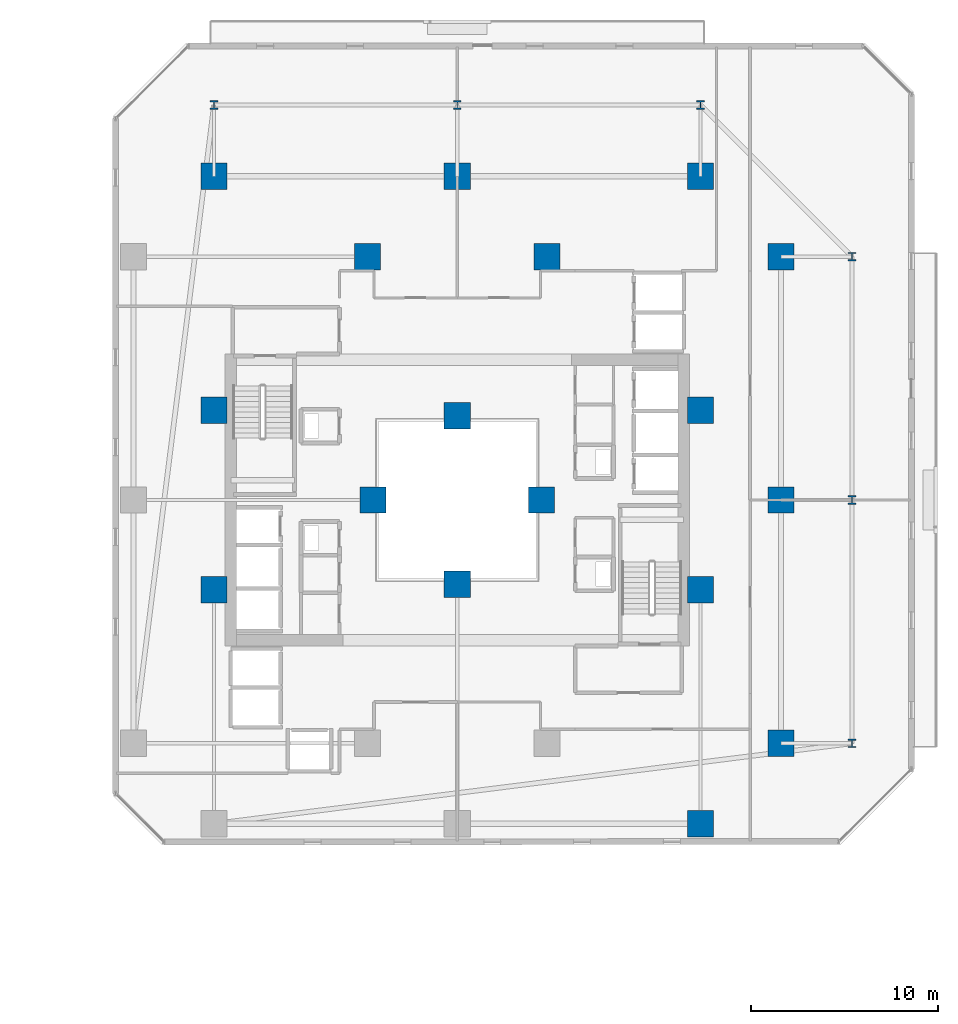
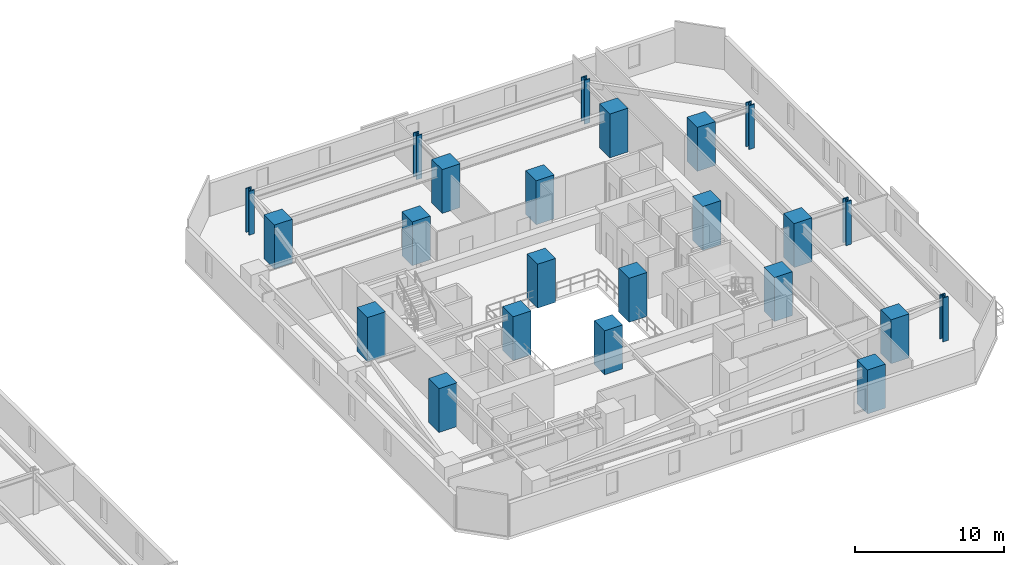
# One storey, part 2 of 34: 23 columns.
"""IFC4 building model written with IfcOpenShell, lengths in metres."""

from ifc_helpers import new_model, si_unit, direction, frame, origin, origin_2d, place, context, subcontext, project, spatial, rectangle, i_section, extrude, material, material_profile, profile_set, type_object, element, save


model = new_model("IFC4")

# Units and contexts
model_context = context("Model", 3, precision=1e-05, world=origin(), true_north=direction((0.0, 1.0)))
body_context = subcontext(model_context, "Body", "Model", "MODEL_VIEW")
ifc_project = project(units=[si_unit("LENGTHUNIT", "METRE"), si_unit("AREAUNIT", "SQUARE_METRE"), si_unit("VOLUMEUNIT", "CUBIC_METRE"), si_unit("PLANEANGLEUNIT", "RADIAN"), si_unit("MASSUNIT", "GRAM", prefix="KILO")], contexts=[model_context])

# Site, building, storey
site_placement = place(None, origin())
site = spatial("IfcSite", under=ifc_project, at=site_placement, CompositionType="ELEMENT")
building_placement = place(site_placement, origin())
building = spatial("IfcBuilding", under=site, at=building_placement, Name="Thornwick Lancets Civic Towers", CompositionType="ELEMENT")
storey_placement = place(building_placement, frame((0.0, 0.0, 53.699951171875)))
storey = spatial("IfcBuildingStorey", under=building, at=storey_placement, Name="L13", CompositionType="ELEMENT", Elevation=53.699951171875)

# Columns
ifc_material_1 = material(Name="Concrete C60/75", Category="concrete")
ifc_material_profile_1 = material_profile(ifc_material_1, rectangle(XDim=1.39990234375, YDim=1.39990234375, at=origin_2d()), Name="RC 1400x1400")
ifc_profile_set_1 = profile_set([ifc_material_profile_1], Name="Concrete C60/75")
column_type_1 = type_object("IfcColumnType", Name="COL_RC_1400", PredefinedType="COLUMN", material=ifc_profile_set_1)
for number, where, z_axis, x_axis, name in (
    (1, (105.800048828125, 14.0, 0.0), (0.0, 0.0, 1.0), (1.0, 0.0, 0.0), "L13 Spine Mega-Column B01"),
    (2, (105.800048828125, 27.0, 0.0), (0.0, 0.0, 1.0), (1.0, 0.0, 0.0), "L13 Spine Mega-Column B02"),
    (3, (105.800048828125, 40.0, 0.0), (0.0, 0.0, 1.0), (1.0, 0.0, 0.0), "L13 Spine Mega-Column B03"),
    (4, (101.5, 44.300048828125, 0.0), (0.0, 0.0, 1.0), (1.0, 0.0, 0.0), "L13 Spine Mega-Column B04"),
    (5, (88.5, 44.300048828125, 0.0), (0.0, 0.0, 1.0), (1.0, 0.0, 0.0), "L13 Spine Mega-Column B05"),
    (6, (75.5, 44.300048828125, 0.0), (0.0, 0.0, 1.0), (1.0, 0.0, 0.0), "L13 Spine Mega-Column B06"),
    (7, (101.5, 9.699951171875, 0.0), (0.0, 0.0, 1.0), (1.0, 0.0, 0.0), "L13 Spine Mega-Column B10"),
    (8, (93.300048828125, 40.0, 0.0), (0.0, 0.0, 1.0), (1.0, 0.0, 0.0), "L13 Spine Mega-Column B14"),
    (9, (83.699951171875, 40.0, 0.0), (0.0, 0.0, 1.0), (1.0, 0.0, 0.0), "L13 Spine Mega-Column B16"),
    (10, (101.5, 22.199951171875, 0.0), (0.0, 0.0, 1.0), (1.0, 0.0, 0.0), "L13 Spine Mega-Column B17"),
    (11, (101.5, 31.800048828125, 0.0), (0.0, 0.0, 1.0), (1.0, 0.0, 0.0), "L13 Spine Mega-Column B18"),
    (12, (75.5, 22.199951171875, 0.0), (0.0, 0.0, 1.0), (1.0, 0.0, 0.0), "L13 Spine Mega-Column B19"),
    (13, (75.5, 31.800048828125, 0.0), (0.0, 0.0, 1.0), (1.0, 0.0, 0.0), "L13 Spine Mega-Column B20"),
    (14, (93.0, 27.0, 0.0), (0.0, 0.0, 1.0), (1.0, 0.0, 0.0), "L13 Spine Mega-Column B21"),
    (15, (84.0, 27.0, 0.0), (0.0, 0.0, 1.0), (1.0, 0.0, 0.0), "L13 Spine Mega-Column B22"),
    (16, (88.5, 22.5, 0.0), (0.0, 0.0, 1.0), (1.0, 0.0, 0.0), "L13 Spine Mega-Column B23"),
    (17, (88.5, 31.5, 0.0), (0.0, 0.0, 1.0), (1.0, 0.0, 0.0), "L13 Spine Mega-Column B24"),
):
    element("IfcColumn", number, at=place(storey_placement, frame(where, z_axis=z_axis, x_axis=x_axis)), inside=storey, type_object=column_type_1, Name=name, PredefinedType="COLUMN", context=body_context, shape_type="SweptSolid", body=[
        extrude(rectangle(XDim=1.39990234375, YDim=1.39990234375, at=origin_2d()), origin(), (0.0, 0.0, 1.0), 3.60009765625),
    ])
ifc_material_2 = material(Name="Steel S460M", Category="steel")
ifc_material_profile_2 = material_profile(ifc_material_2, i_section(OverallWidth=0.424072265625, OverallDepth=0.474609375, WebThickness=0.047607421875, FlangeThickness=0.076904296875, FilletRadius=0.01513671875, at=origin_2d()), Name="UKC 356x406x634")
ifc_profile_set_2 = profile_set([ifc_material_profile_2], Name="Steel S460M")
column_type_2 = type_object("IfcColumnType", Name="COL_UKC_634", PredefinedType="COLUMN", material=ifc_profile_set_2)
for number, where, z_axis, x_axis, name in (
    (18, (109.60009765625, 14.0, 0.0), (0.0, 0.0, 1.0), (1.0, 0.0, 0.0), "L13 Block Perimeter Column B01"),
    (19, (109.60009765625, 27.0, 0.0), (0.0, 0.0, 1.0), (1.0, 0.0, 0.0), "L13 Block Perimeter Column B02"),
    (20, (109.60009765625, 40.0, 0.0), (0.0, 0.0, 1.0), (1.0, 0.0, 0.0), "L13 Block Perimeter Column B03"),
    (21, (101.5, 48.10009765625, 0.0), (0.0, 0.0, 1.0), (1.0, 0.0, 0.0), "L13 Block Perimeter Column B04"),
    (22, (88.5, 48.10009765625, 0.0), (0.0, 0.0, 1.0), (1.0, 0.0, 0.0), "L13 Block Perimeter Column B05"),
    (23, (75.5, 48.10009765625, 0.0), (0.0, 0.0, 1.0), (1.0, 0.0, 0.0), "L13 Block Perimeter Column B06"),
):
    element("IfcColumn", number, at=place(storey_placement, frame(where, z_axis=z_axis, x_axis=x_axis)), inside=storey, type_object=column_type_2, Name=name, PredefinedType="COLUMN", context=body_context, shape_type="SweptSolid", body=[
        extrude(i_section(OverallWidth=0.424072265625, OverallDepth=0.474609375, WebThickness=0.047607421875, FlangeThickness=0.076904296875, FilletRadius=0.01513671875, at=origin_2d()), origin(), (0.0, 0.0, 1.0), 3.60009765625),
    ])

save(model, "model.ifc")
